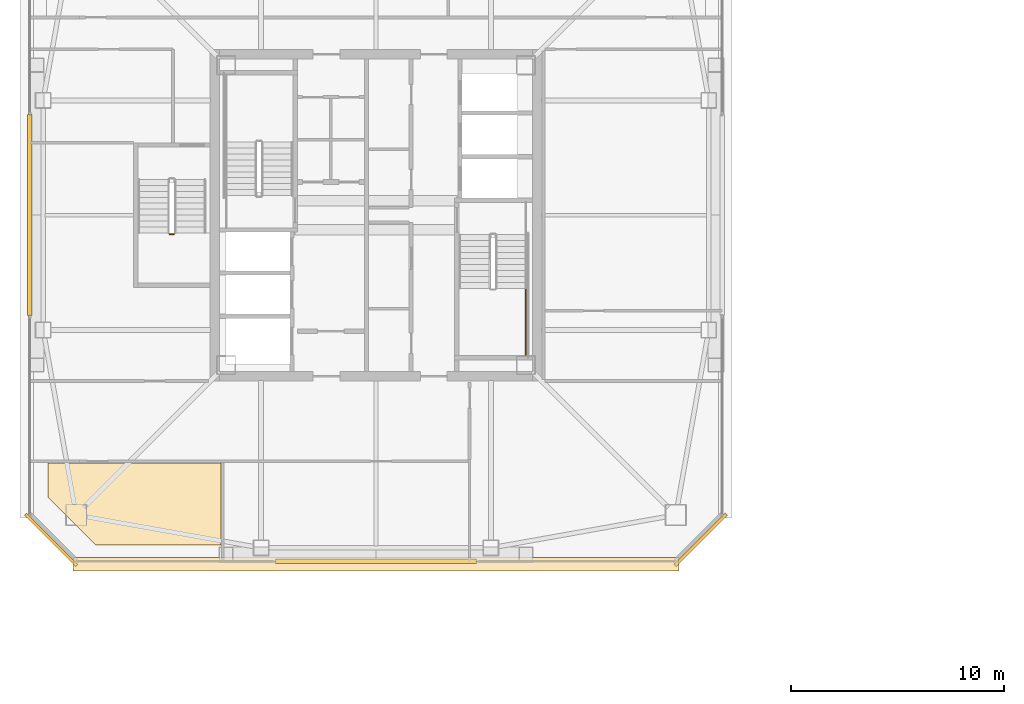
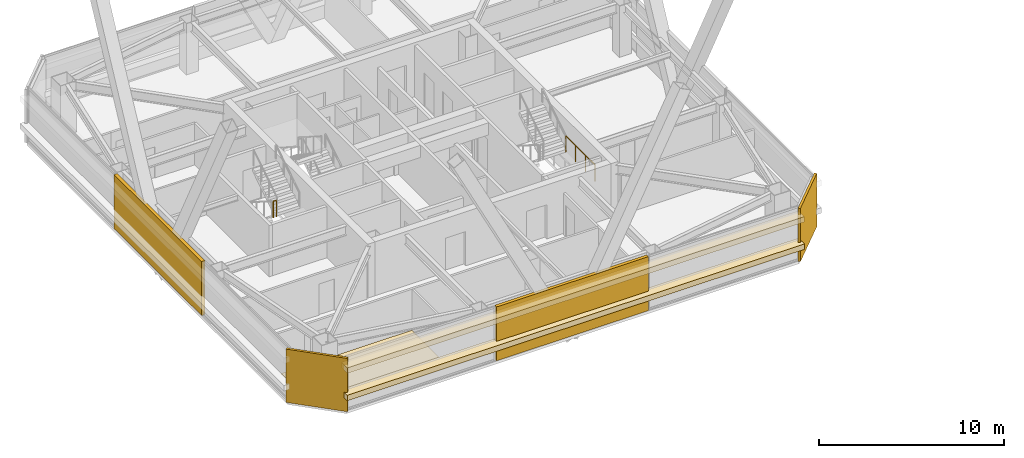
# One storey, part 42 of 47: 7 coverings, 2 railings.
"""IFC4 building model written with IfcOpenShell, lengths in metres."""

import ifcopenshell
import ifcopenshell.guid

model = None  # the IFC model being written
_history = None  # IfcOwnerHistory: only IFC2X3 demands one
_inside = {}  # id of a spatial element -> (the spatial element, [elements in it])
_under = {}  # id of a project, library or spatial element -> (it, [spatial elements below it])
_declared = {}  # id of a project -> (the project, [libraries it declares])
_typed = {}  # id of a type object -> (the type object, [elements of that type])
_made_of = {}  # id of a material, layer set ... -> (it, [elements and type objects made of it])


def new_model(schema):
    """Start an empty IFC model of exactly this schema.

    Asked for "IFC4X3", IfcOpenShell would pick the latest addendum, in which some entities
    have other attributes; the version numbers below select the first issue.
    IFC2X3 requires an IfcOwnerHistory on every rooted entity: one is made here for all.
    """
    global model, _history
    if schema == "IFC4X3":
        model = ifcopenshell.file(schema_version=(4, 3, 0, 0))
    else:
        model = ifcopenshell.file(schema=schema)
    _inside.clear()
    _under.clear()
    _declared.clear()
    _typed.clear()
    _made_of.clear()
    _history = None
    if model.schema == "IFC2X3":
        org = make("IfcOrganization", Name="unknown")
        user = make(
            "IfcPersonAndOrganization",
            ThePerson=make("IfcPerson", FamilyName="unknown"),
            TheOrganization=org,
        )
        app = make(
            "IfcApplication",
            ApplicationDeveloper=org,
            Version="unknown",
            ApplicationFullName="unknown",
            ApplicationIdentifier="unknown",
        )
        _history = make(
            "IfcOwnerHistory",
            OwningUser=user,
            OwningApplication=app,
            ChangeAction="ADDED",
            CreationDate=0,
        )
    return model


def make(cls, **values):
    """One entity of the class cls with the attributes given. An attribute that is None is left unset."""
    return model.create_entity(
        cls, **{name: value for name, value in values.items() if value is not None}
    )


def rooted(cls, **values):
    """An entity with a GlobalId (a new one), such as an element, a storey or a relation."""
    return make(cls, GlobalId=ifcopenshell.guid.new(), OwnerHistory=_history, **values)


def si_unit(unit_type, name, prefix=None):
    """IfcSIUnit, for example si_unit("LENGTHUNIT", "METRE", prefix="MILLI")."""
    return make("IfcSIUnit", UnitType=unit_type, Prefix=prefix, Name=name)


def assignment(units):
    """IfcUnitAssignment: the units of a project."""
    return None if units is None else make("IfcUnitAssignment", Units=units)


def point(xyz):
    """IfcCartesianPoint."""
    return None if xyz is None else make("IfcCartesianPoint", Coordinates=xyz)


def direction(xyz):
    """IfcDirection."""
    return None if xyz is None else make("IfcDirection", DirectionRatios=xyz)


def frame(location, z_axis=None, x_axis=None):
    """IfcAxis2Placement3D, a coordinate frame: its origin and axes. An axis left out is left unset."""
    return make(
        "IfcAxis2Placement3D",
        Location=point(location),
        Axis=direction(z_axis),
        RefDirection=direction(x_axis),
    )


def frame_2d(location, x_axis=None):
    """IfcAxis2Placement2D, a coordinate frame in the plane: its origin and x axis."""
    return make(
        "IfcAxis2Placement2D", Location=point(location), RefDirection=direction(x_axis)
    )


def origin():
    """The frame at (0, 0, 0) with its axes left unset."""
    return frame((0.0, 0.0, 0.0))


def origin_2d():
    """The frame at (0, 0) in the plane with its x axis left unset."""
    return frame_2d((0.0, 0.0))


def place(relative_to, where):
    """IfcLocalPlacement: puts the frame where relative to a parent placement (None: the world)."""
    return make(
        "IfcLocalPlacement", PlacementRelTo=relative_to, RelativePlacement=where
    )


def context(
    kind, dimensions, precision=None, world=None, true_north=None, identifier=None
):
    """IfcGeometricRepresentationContext, for example the 3D "Model" context."""
    return make(
        "IfcGeometricRepresentationContext",
        ContextIdentifier=identifier,
        ContextType=kind,
        CoordinateSpaceDimension=dimensions,
        Precision=precision,
        WorldCoordinateSystem=world,
        TrueNorth=true_north,
    )


def subcontext(parent, identifier, kind, view, scale=None):
    """IfcGeometricRepresentationSubContext, for example "Body" below "Model"."""
    return make(
        "IfcGeometricRepresentationSubContext",
        ContextIdentifier=identifier,
        ContextType=kind,
        ParentContext=parent,
        TargetScale=scale,
        TargetView=view,
    )


def project(units=None, contexts=None):
    """IfcProject with its units and contexts."""
    return rooted(
        "IfcProject",
        Name="project",
        RepresentationContexts=contexts,
        UnitsInContext=assignment(units),
    )


def spatial(cls, under=None, at=None, **own):
    """A site, building, storey or space (cls), placed at a placement, below another one or the project."""
    s = rooted(cls, ObjectPlacement=at, **own)
    if under is not None:
        _under.setdefault(under.id(), (under, []))[1].append(s)
    return s


def polyline(points):
    """IfcPolyline through the points."""
    return make("IfcPolyline", Points=[point(p) for p in points])


def profile(cls, at=None, kind="AREA", **sizes):
    """A parametric profile (cls). Its sizes go by their IFC names, for example OverallWidth=200.0."""
    return make(cls, ProfileType=kind, Position=at, **sizes)


def rectangle(**sizes):
    """IfcRectangleProfileDef."""
    return profile("IfcRectangleProfileDef", **sizes)


def outline(outer, holes=None, kind="AREA"):
    """IfcArbitraryClosedProfileDef: a profile drawn as a closed curve; with holes, ...WithVoids."""
    if holes is None:
        return make("IfcArbitraryClosedProfileDef", ProfileType=kind, OuterCurve=outer)
    return make(
        "IfcArbitraryProfileDefWithVoids",
        ProfileType=kind,
        OuterCurve=outer,
        InnerCurves=holes,
    )


def extrude(swept, where, along, depth):
    """IfcExtrudedAreaSolid: the profile swept, set in the frame where, extruded along a direction by depth."""
    return make(
        "IfcExtrudedAreaSolid",
        SweptArea=swept,
        Position=where,
        ExtrudedDirection=direction(along),
        Depth=depth,
    )


def shape(context_of_items, identifier, shape_type, items):
    """IfcShapeRepresentation: the items that make up one representation, for example the "Body"."""
    return make(
        "IfcShapeRepresentation",
        ContextOfItems=context_of_items,
        RepresentationIdentifier=identifier,
        RepresentationType=shape_type,
        Items=items,
    )


def material(Name=None, Category=None):
    """IfcMaterial."""
    return make("IfcMaterial", Name=Name, Category=Category)


def layer(
    of_material, thickness, ventilated=None, Name=None, Category=None, Priority=None
):
    """IfcMaterialLayer: one layer of a wall or slab, of a material (None: an air gap)."""
    return make(
        "IfcMaterialLayer",
        Material=of_material,
        LayerThickness=thickness,
        IsVentilated=ventilated,
        Name=Name,
        Category=Category,
        Priority=Priority,
    )


def layer_set(layers, Name=None):
    """IfcMaterialLayerSet."""
    return make("IfcMaterialLayerSet", MaterialLayers=layers, LayerSetName=Name)


def made_of(thing, what):
    """Note that an element or type object is made of a material, layer set ...; save() writes the relation."""
    if what is not None:
        _made_of.setdefault(what.id(), (what, []))[1].append(thing)
    return thing


def type_object(cls, material=None, **own):
    """A type object (cls), such as IfcWallType, which elements share."""
    return made_of(rooted(cls, **own), material)


def element(
    cls,
    number,
    at=None,
    inside=None,
    cuts=None,
    type_object=None,
    material=None,
    context=None,
    identifier="Body",
    shape_type=None,
    held_by="IfcProductDefinitionShape",
    body=None,
    shapes=None,
    **own,
):
    """One element of the class cls, such as IfcWall. Its Tag is "e" and its number.

    at: its placement. inside: the storey or other place that contains it. cuts: it is an
    opening in that element (IfcRelVoidsElement). A single representation is given by context,
    identifier, shape_type and body (its items); several are given by shapes. held_by: the class
    of the entity that holds the representations. save() writes the other relations.
    """
    e = rooted(cls, Tag="e%d" % number, ObjectPlacement=at, **own)
    if body is not None:
        shapes = [shape(context, identifier, shape_type, body)]
    if shapes is not None:
        e.Representation = make(held_by, Representations=shapes)
    if inside is not None:
        _inside.setdefault(inside.id(), (inside, []))[1].append(e)
    if cuts is not None:
        rooted(
            "IfcRelVoidsElement", RelatingBuildingElement=cuts, RelatedOpeningElement=e
        )
    if type_object is not None:
        _typed.setdefault(type_object.id(), (type_object, []))[1].append(e)
    return made_of(e, material)


def aggregate(whole, parts):
    """IfcRelAggregates: a whole, such as a stair, and the parts it consists of."""
    return rooted("IfcRelAggregates", RelatingObject=whole, RelatedObjects=parts)


def save(model, path):
    """Write the relations noted so far, then the file.

    IfcRelAggregates (storeys below a building ...), IfcRelContainedInSpatialStructure (elements
    in a storey), IfcRelDefinesByType, IfcRelAssociatesMaterial and IfcRelDeclares: one each for
    every whole, place, type object, material and project.
    """
    for whole, parts in _under.values():
        aggregate(whole, parts)
    for where, things in _inside.values():
        rooted(
            "IfcRelContainedInSpatialStructure",
            RelatedElements=things,
            RelatingStructure=where,
        )
    for kind, things in _typed.values():
        rooted("IfcRelDefinesByType", RelatedObjects=things, RelatingType=kind)
    for what, things in _made_of.values():
        rooted("IfcRelAssociatesMaterial", RelatedObjects=things, RelatingMaterial=what)
    for by, libraries in _declared.values():
        rooted("IfcRelDeclares", RelatingContext=by, RelatedDefinitions=libraries)
    model.write(path)


model = new_model("IFC4")

# Units and contexts
model_context = context("Model", 3, precision=1e-05, world=origin(), true_north=direction((0.0, 1.0)))
body_context = subcontext(model_context, "Body", "Model", "MODEL_VIEW")
ifc_project = project(units=[si_unit("LENGTHUNIT", "METRE"), si_unit("AREAUNIT", "SQUARE_METRE"), si_unit("VOLUMEUNIT", "CUBIC_METRE"), si_unit("PLANEANGLEUNIT", "RADIAN"), si_unit("MASSUNIT", "GRAM", prefix="KILO")], contexts=[model_context])

# Site, building, storey
site_placement = place(None, origin())
site = spatial("IfcSite", under=ifc_project, at=site_placement, CompositionType="ELEMENT")
building_placement = place(site_placement, origin())
building = spatial("IfcBuilding", under=site, at=building_placement, Name="Tashvorn Skyway Center", CompositionType="ELEMENT")
storey_placement = place(building_placement, frame((0.0, 0.0, 204.199951171875)))
storey = spatial("IfcBuildingStorey", under=building, at=storey_placement, Name="L55", CompositionType="ELEMENT", Elevation=204.199951171875)

# Coverings
ifc_material_1 = material(Name="Precast concrete C40/50", Category="concrete")
ifc_layer_1 = layer(ifc_material_1, 0.199951171875)
ifc_layer_set_1 = layer_set([ifc_layer_1], Name="Precast concrete C40/50")
covering_type_1 = type_object("IfcCoveringType", Name="COV-BRACE-CLAD", PredefinedType="CLADDING", material=ifc_layer_set_1)
for number, where, z_axis, x_axis, name in (
    (1, (42.0, 15.719970703125, 0.0), (0.0, 0.0, 1.0), (-1.0, 0.0, 0.0), "Tower 1 L55 South Unitised Curtain Wall Mega-Brace Cladding Band 1"),
    (2, (25.719970703125, 32.0, 0.0), (0.0, 0.0, 1.0), (0.0, 1.0, 0.0), "Tower 1 L55 West Unitised Curtain Wall Mega-Brace Cladding Band 1"),
):
    element("IfcCovering", number, at=place(storey_placement, frame(where, z_axis=z_axis, x_axis=x_axis)), inside=storey, type_object=covering_type_1, Name=name, PredefinedType="CLADDING", context=body_context, shape_type="SweptSolid", body=[
        extrude(rectangle(XDim=9.453369140625, YDim=0.199951171875, at=origin_2d()), origin(), (0.0, 0.0, 1.0), 3.550048828125),
    ])
ifc_material_2 = material(Name="Polished Mojave desert-aggregate terrazzo and cover plate")
ifc_layer_2 = layer(ifc_material_2, 0.0400390625)
ifc_layer_set_2 = layer_set([ifc_layer_2], Name="Polished Mojave desert-aggregate terrazzo and cover plate")
covering_type_2 = type_object("IfcCoveringType", Name="COV-FLR-40", PredefinedType="FLOORING", material=ifc_layer_set_2)
covering_placement = place(storey_placement, origin())
element("IfcCovering", 3, at=covering_placement, inside=storey, type_object=covering_type_2, Name="Tower 1 L55 Wellness Clinic Finish Flooring", PredefinedType="FLOORING", context=body_context, shape_type="SweptSolid", body=[
    extrude(outline(polyline([(28.800048828125, 16.5), (26.580078125, 18.719970703125), (26.580078125, 20.35009765625), (34.719970703125, 20.35009765625), (34.719970703125, 16.5), (28.800048828125, 16.5)])), origin(), (0.0, 0.0, 1.0), 0.0400390625),
])
ifc_material_3 = material(Name="Perforated ceramic-coated bronze aluminium solar screen", Category="aluminium")
ifc_layer_3 = layer(ifc_material_3, 0.85009765625)
ifc_layer_set_3 = layer_set([ifc_layer_3], Name="Perforated ceramic-coated bronze aluminium solar screen")
covering_type_3 = type_object("IfcCoveringType", Name="COV-SOLAR-BAND", PredefinedType="CLADDING", material=ifc_layer_set_3)
for number, where, z_axis, x_axis, name in (
    (4, (42.0, 15.580078125, 0.919921875), (0.0, 0.0, 1.0), (-1.0, 0.0, 0.0), "L55 Perforated Ceramic-Metal Solar Screen Louvre Band South 1"),
    (5, (42.0, 15.580078125, 2.72021484375), (0.0, 0.0, 1.0), (-1.0, 0.0, 0.0), "L55 Perforated Ceramic-Metal Solar Screen Louvre Band South 2"),
):
    element("IfcCovering", number, at=place(storey_placement, frame(where, z_axis=z_axis, x_axis=x_axis)), inside=storey, type_object=covering_type_3, Name=name, PredefinedType="CLADDING", context=body_context, shape_type="SweptSolid", body=[
        extrude(rectangle(XDim=28.47998046875, YDim=0.639892578125, at=origin_2d()), origin(), (0.0, 0.0, 1.0), 0.360107421875),
    ])
ifc_layer_4 = layer(ifc_material_1, 0.35009765625)
ifc_layer_set_4 = layer_set([ifc_layer_4], Name="Precast concrete C40/50")
covering_type_4 = type_object("IfcCoveringType", Name="COV-STONE-TRIM", PredefinedType="CLADDING", material=ifc_layer_set_4)
for number, where, z_axis, x_axis, name in (
    (6, (26.72998046875, 16.72998046875, 0.02001953125), (0.0, 0.0, 1.0), (-0.707106781187, 0.707106781187, 0.0), "Tower 1 L55 SW Mojave Limestone Corner Quoin"),
    (7, (57.27001953125, 16.72998046875, 0.02001953125), (0.0, 0.0, 1.0), (0.707106781187, 0.707106781187, 0.0), "Tower 1 L55 SE Mojave Limestone Corner Quoin"),
):
    element("IfcCovering", number, at=place(storey_placement, frame(where, z_axis=z_axis, x_axis=x_axis)), inside=storey, type_object=covering_type_4, Name=name, PredefinedType="CLADDING", context=body_context, shape_type="SweptSolid", body=[
        extrude(rectangle(XDim=3.41259765625, YDim=0.139892578125, at=origin_2d()), origin(), (0.0, 0.0, 1.0), 3.510009765625),
    ])

# Railings
ifc_material_4 = material(Name="Painted galvanized steel S355", Category="steel")
railing_type = type_object("IfcRailingType", Name="RAIL-STGUARD-1100", PredefinedType="GUARDRAIL", material=ifc_material_4)
railing_1_placement = place(storey_placement, frame((49.050048828125, 28.56005859375, 1.775146484375)))
element("IfcRailing", 8, at=railing_1_placement, inside=storey, type_object=railing_type, Name="L55 ST-T1-2 stair guard 3", PredefinedType="GUARDRAIL", context=body_context, shape_type="SweptSolid", body=[
    extrude(rectangle(XDim=0.048095703125, YDim=0.048095703125, at=origin_2d()), frame((0.0, 0.0, 1.076171875), z_axis=(0.0, -1.0, 0.0), x_axis=(1.0, 0.0, 0.0)), (0.0, 0.0, 1.0), 3.16015625),
    extrude(rectangle(XDim=0.0419921875, YDim=0.0419921875, at=origin_2d()), origin(), (0.0, 0.0, 1.0), 1.052001953125),
    extrude(rectangle(XDim=0.0419921875, YDim=0.0419921875, at=origin_2d()), frame((0.0, -1.053466796875, 0.0)), (0.0, 0.0, 1.0), 1.052001953125),
    extrude(rectangle(XDim=0.0419921875, YDim=0.0419921875, at=origin_2d()), frame((0.0, -2.106689453125, 0.0)), (0.0, 0.0, 1.0), 1.052001953125),
    extrude(rectangle(XDim=0.0419921875, YDim=0.0419921875, at=origin_2d()), frame((0.0, -3.16015625, 0.0)), (0.0, 0.0, 1.0), 1.052001953125),
])
railing_2_placement = place(storey_placement, frame((32.300048828125, 31.110107421875, 1.775146484375)))
element("IfcRailing", 9, at=railing_2_placement, inside=storey, type_object=railing_type, Name="L55 ST-T1-3 stair guard 2", PredefinedType="GUARDRAIL", context=body_context, shape_type="SweptSolid", body=[
    extrude(rectangle(XDim=0.048095703125, YDim=0.048095703125, at=origin_2d()), frame((0.0, 0.0, 1.076171875), z_axis=(1.0, 0.0, 0.0), x_axis=(0.0, 1.0, 0.0)), (0.0, 0.0, 1.0), 0.199951171875),
    extrude(rectangle(XDim=0.0419921875, YDim=0.0419921875, at=origin_2d()), origin(), (0.0, 0.0, 1.0), 1.052001953125),
    extrude(rectangle(XDim=0.0419921875, YDim=0.0419921875, at=origin_2d()), frame((0.199951171875, 0.0, 0.0)), (0.0, 0.0, 1.0), 1.052001953125),
])

save(model, "model.ifc")
